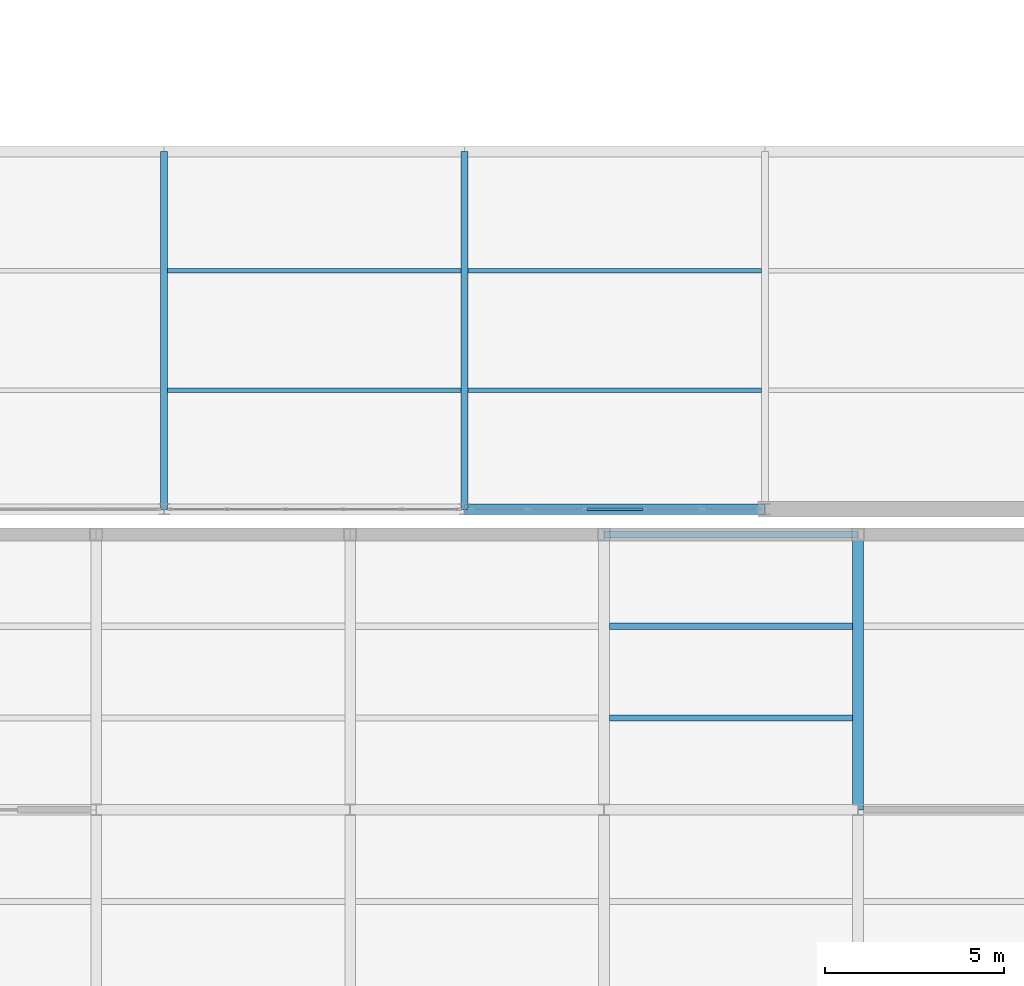
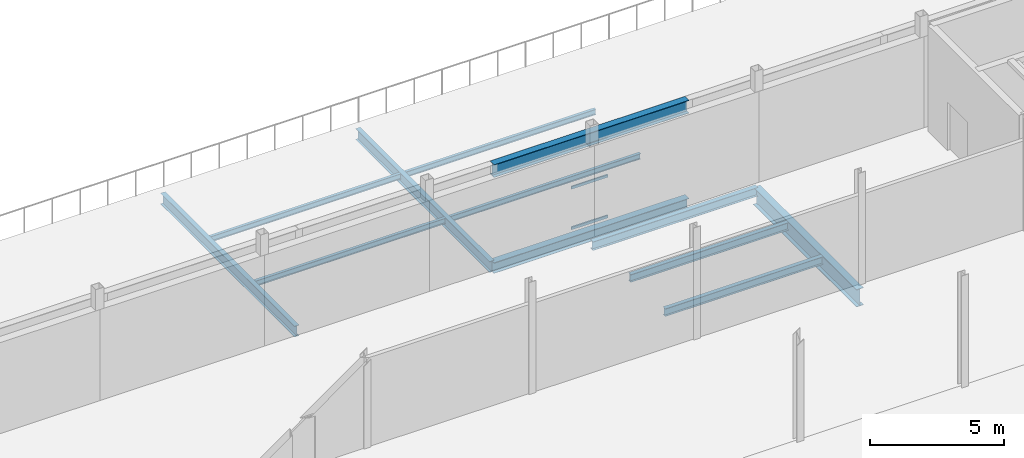
# One storey, part 147 of 218: 12 beams, 3 members, 1 element without a shape of its own.
"""IFC4 building model written with IfcOpenShell, lengths in metres."""

from ifc_helpers import new_model, si_unit, direction, frame, origin, origin_2d, place, context, subcontext, project, spatial, hollow_rectangle, i_section, extrude, material, material_profile, profile_set, type_object, element, aggregate, save


model = new_model("IFC4")

# Units and contexts
model_context = context("Model", 3, precision=1e-05, world=origin(), true_north=direction((0.0, 1.0)))
body_context = subcontext(model_context, "Body", "Model", "MODEL_VIEW")
ifc_project = project(units=[si_unit("LENGTHUNIT", "METRE"), si_unit("AREAUNIT", "SQUARE_METRE"), si_unit("VOLUMEUNIT", "CUBIC_METRE"), si_unit("PLANEANGLEUNIT", "RADIAN"), si_unit("MASSUNIT", "GRAM", prefix="KILO")], contexts=[model_context])

# Site, building, storey
site_placement = place(None, origin())
site = spatial("IfcSite", under=ifc_project, at=site_placement, CompositionType="ELEMENT")
building_placement = place(site_placement, origin())
building = spatial("IfcBuilding", under=site, at=building_placement, Name="Kazenagashi Tramway Depot", CompositionType="ELEMENT")
storey_placement = place(building_placement, frame((0.0, 0.0, 6.0)))
storey = spatial("IfcBuildingStorey", under=building, at=storey_placement, Name="L02", CompositionType="ELEMENT", Elevation=6.0)

# Beams
ifc_material_1 = material(Name="Steel SN490B", Category="steel")
ifc_material_profile_1 = material_profile(ifc_material_1, i_section(OverallWidth=0.2, OverallDepth=0.5, WebThickness=0.01, FlangeThickness=0.016, at=origin_2d()), Name="H-500x200x10x16")
ifc_profile_set_1 = profile_set([ifc_material_profile_1], Name="Steel SN490B")
beam_type_1 = type_object("IfcBeamType", Name="G-05", PredefinedType="BEAM", material=ifc_profile_set_1)
for number, where, z_axis, x_axis, name in (
    (1, (162.4, 70.0, -0.515), (0.0, 1.0, 0.0), (-1.0, 0.0, 0.0), "Beam G-05 BM-1778"),
    (2, (170.8, 70.0, -0.515), (0.0, 1.0, 0.0), (-1.0, 0.0, 0.0), "Beam G-05 BM-1781"),
):
    element("IfcBeam", number, at=place(storey_placement, frame(where, z_axis=z_axis, x_axis=x_axis)), inside=storey, type_object=beam_type_1, Name=name, PredefinedType="BEAM", context=body_context, shape_type="SweptSolid", body=[
        extrude(i_section(OverallWidth=0.2, OverallDepth=0.5, WebThickness=0.01, FlangeThickness=0.016, at=origin_2d()), origin(), (0.0, 0.0, 1.0), 10.0),
    ])
ifc_material_profile_2 = material_profile(ifc_material_1, i_section(OverallWidth=0.3, OverallDepth=0.8, WebThickness=0.014, FlangeThickness=0.026, at=origin_2d()), Name="H-800x300x14x26")
ifc_profile_set_2 = profile_set([ifc_material_profile_2], Name="Steel SN490B")
beam_type_2 = type_object("IfcBeamType", Name="G-07", PredefinedType="BEAM", material=ifc_profile_set_2)
beam_1_placement = place(storey_placement, frame((181.8, 61.6, -0.68), z_axis=(0.0, 1.0, 0.0), x_axis=(-1.0, 0.0, 0.0)))
element("IfcBeam", 3, at=beam_1_placement, inside=storey, type_object=beam_type_2, Name="Beam G-07 BM-1349", PredefinedType="BEAM", context=body_context, shape_type="SweptSolid", body=[
    extrude(i_section(OverallWidth=0.3, OverallDepth=0.8, WebThickness=0.014, FlangeThickness=0.026, at=origin_2d()), origin(), (0.0, 0.0, 1.0), 7.7),
])
ifc_material_2 = material(Name="Steel SN400B", Category="steel")
ifc_material_profile_3 = material_profile(ifc_material_2, i_section(OverallWidth=0.175, OverallDepth=0.35, WebThickness=0.007, FlangeThickness=0.011, at=origin_2d()), Name="H-350x175x7x11")
ifc_profile_set_3 = profile_set([ifc_material_profile_3], Name="Steel SN400B")
beam_type_3 = type_object("IfcBeamType", Name="J-01", PredefinedType="JOIST", material=ifc_profile_set_3)
for number, where, z_axis, x_axis, name in (
    (4, (174.85, 64.167, -0.455), (1.0, 0.0, 0.0), (0.0, 1.0, 0.0), "Beam J-01 BM-1335"),
    (5, (174.85, 66.733, -0.455), (1.0, 0.0, 0.0), (0.0, 1.0, 0.0), "Beam J-01 BM-1336"),
):
    element("IfcBeam", number, at=place(storey_placement, frame(where, z_axis=z_axis, x_axis=x_axis)), inside=storey, type_object=beam_type_3, Name=name, PredefinedType="JOIST", context=body_context, shape_type="SweptSolid", body=[
        extrude(i_section(OverallWidth=0.175, OverallDepth=0.35, WebThickness=0.007, FlangeThickness=0.011, at=origin_2d()), origin(), (0.0, 0.0, 1.0), 6.8),
    ])
ifc_material_profile_4 = material_profile(ifc_material_2, i_section(OverallWidth=0.125, OverallDepth=0.25, WebThickness=0.006, FlangeThickness=0.009, at=origin_2d()), Name="H-250x125x6x9")
ifc_profile_set_4 = profile_set([ifc_material_profile_4], Name="Steel SN400B")
beam_type_4 = type_object("IfcBeamType", Name="J-03", PredefinedType="JOIST", material=ifc_profile_set_4)
for number, where, z_axis, x_axis, name in (
    (6, (162.5, 73.333, -0.39), (1.0, 0.0, 0.0), (0.0, 1.0, 0.0), "Beam J-03 BM-1779"),
    (7, (162.5, 76.667, -0.39), (1.0, 0.0, 0.0), (0.0, 1.0, 0.0), "Beam J-03 BM-1780"),
    (8, (170.9, 73.333, -0.39), (1.0, 0.0, 0.0), (0.0, 1.0, 0.0), "Beam J-03 BM-1782"),
    (9, (170.9, 76.667, -0.39), (1.0, 0.0, 0.0), (0.0, 1.0, 0.0), "Beam J-03 BM-1783"),
):
    element("IfcBeam", number, at=place(storey_placement, frame(where, z_axis=z_axis, x_axis=x_axis)), inside=storey, type_object=beam_type_4, Name=name, PredefinedType="JOIST", context=body_context, shape_type="SweptSolid", body=[
        extrude(i_section(OverallWidth=0.125, OverallDepth=0.25, WebThickness=0.006, FlangeThickness=0.009, at=origin_2d()), origin(), (0.0, 0.0, 1.0), 8.2),
    ])
ifc_material_profile_5 = material_profile(ifc_material_1, i_section(OverallWidth=0.3, OverallDepth=0.588, WebThickness=0.012, FlangeThickness=0.02, at=origin_2d()), Name="H-588x300x12x20")
ifc_profile_set_5 = profile_set([ifc_material_profile_5], Name="Steel SN490B")
beam_type_5 = type_object("IfcBeamType", Name="SP-01", PredefinedType="SPANDREL", material=ifc_profile_set_5)
beam_2_placement = place(storey_placement, frame((170.8, 70.0, 3.906), z_axis=(1.0, 0.0, 0.0), x_axis=(0.0, 1.0, 0.0)))
element("IfcBeam", 10, at=beam_2_placement, inside=storey, type_object=beam_type_5, Name="Beam SP-01 BM-1859", PredefinedType="SPANDREL", context=body_context, shape_type="SweptSolid", body=[
    extrude(i_section(OverallWidth=0.3, OverallDepth=0.588, WebThickness=0.012, FlangeThickness=0.02, at=origin_2d()), origin(), (0.0, 0.0, 1.0), 8.4),
])
ifc_material_profile_6 = material_profile(ifc_material_1, i_section(OverallWidth=0.3, OverallDepth=0.488, WebThickness=0.011, FlangeThickness=0.018, at=origin_2d()), Name="H-488x300x11x18")
ifc_profile_set_6 = profile_set([ifc_material_profile_6], Name="Steel SN490B")
beam_type_6 = type_object("IfcBeamType", Name="SP-02", PredefinedType="SPANDREL", material=ifc_profile_set_6)
beam_3_placement = place(storey_placement, frame((170.8, 70.0, -0.509), z_axis=(1.0, 0.0, 0.0), x_axis=(0.0, 1.0, 0.0)))
element("IfcBeam", 11, at=beam_3_placement, inside=storey, type_object=beam_type_6, Name="Beam SP-02 BM-1716", PredefinedType="SPANDREL", context=body_context, shape_type="SweptSolid", body=[
    extrude(i_section(OverallWidth=0.3, OverallDepth=0.488, WebThickness=0.011, FlangeThickness=0.018, at=origin_2d()), origin(), (0.0, 0.0, 1.0), 8.4),
])
ifc_material_profile_7 = material_profile(ifc_material_1, i_section(OverallWidth=0.2, OverallDepth=0.4, WebThickness=0.008, FlangeThickness=0.013, at=origin_2d()), Name="H-400x200x8x13")
ifc_profile_set_7 = profile_set([ifc_material_profile_7], Name="Steel SN490B")
beam_type_7 = type_object("IfcBeamType", Name="SP-04", PredefinedType="SPANDREL", material=ifc_profile_set_7)
beam_4_placement = place(storey_placement, frame((174.7, 69.3, -0.48), z_axis=(1.0, 0.0, 0.0), x_axis=(0.0, 1.0, 0.0)))
element("IfcBeam", 12, at=beam_4_placement, inside=storey, type_object=beam_type_7, Name="Beam SP-04 BM-1228", PredefinedType="SPANDREL", context=body_context, shape_type="SweptSolid", body=[
    extrude(i_section(OverallWidth=0.2, OverallDepth=0.4, WebThickness=0.008, FlangeThickness=0.013, at=origin_2d()), origin(), (0.0, 0.0, 1.0), 7.1),
])

# Curtain wall, members
ifc_material_3 = material(Name="Anodised Aluminium and Low-E Glazing", Category="aluminium")
curtain_wall_type = type_object("IfcCurtainWallType", Name="CW-11", PredefinedType="USERDEFINED", material=ifc_material_3)
curtain_wall_placement = place(storey_placement, origin())
curtain_wall = element("IfcCurtainWall", 13, at=curtain_wall_placement, inside=storey, type_object=curtain_wall_type, Name="Industrial Glazed Screen CW-11 CW-0052", ObjectType="GLAZED SCREEN", PredefinedType="USERDEFINED")
ifc_material_4 = material(Name="Anodised Aluminium", Category="aluminium")
ifc_material_profile_8 = material_profile(ifc_material_4, hollow_rectangle(XDim=0.06, YDim=0.12, WallThickness=0.004, at=origin_2d()), Name="RHS-120x60x4")
ifc_profile_set_8 = profile_set([ifc_material_profile_8], Name="Anodised Aluminium")
member_type = type_object("IfcMemberType", Name="TR-01", PredefinedType="USERDEFINED", material=ifc_profile_set_8)
member_1_placement = place(storey_placement, frame((174.218, 70.0, 0.03), z_axis=(1.0, 0.0, 0.0), x_axis=(0.0, 1.0, 0.0)))
member_1 = element("IfcMember", 14, at=member_1_placement, type_object=member_type, Name="CW-11 transom 3.1", ObjectType="TRANSOM", PredefinedType="USERDEFINED", context=body_context, shape_type="SweptSolid", body=[
    extrude(hollow_rectangle(XDim=0.06, YDim=0.12, WallThickness=0.004, at=origin_2d()), origin(), (0.0, 0.0, 1.0), 1.564),
])
member_2_placement = place(storey_placement, frame((174.218, 70.0, 1.878), z_axis=(1.0, 0.0, 0.0), x_axis=(0.0, 1.0, 0.0)))
member_2 = element("IfcMember", 15, at=member_2_placement, type_object=member_type, Name="CW-11 transom 3.2", ObjectType="TRANSOM", PredefinedType="USERDEFINED", context=body_context, shape_type="SweptSolid", body=[
    extrude(hollow_rectangle(XDim=0.06, YDim=0.12, WallThickness=0.004, at=origin_2d()), origin(), (0.0, 0.0, 1.0), 1.564),
])
member_3_placement = place(storey_placement, frame((174.218, 70.0, 3.582), z_axis=(1.0, 0.0, 0.0), x_axis=(0.0, 1.0, 0.0)))
member_3 = element("IfcMember", 16, at=member_3_placement, type_object=member_type, Name="CW-11 transom 3.3", ObjectType="TRANSOM", PredefinedType="USERDEFINED", context=body_context, shape_type="SweptSolid", body=[
    extrude(hollow_rectangle(XDim=0.06, YDim=0.12, WallThickness=0.004, at=origin_2d()), origin(), (0.0, 0.0, 1.0), 1.564),
])
aggregate(curtain_wall, [member_1, member_2, member_3])

save(model, "model.ifc")
